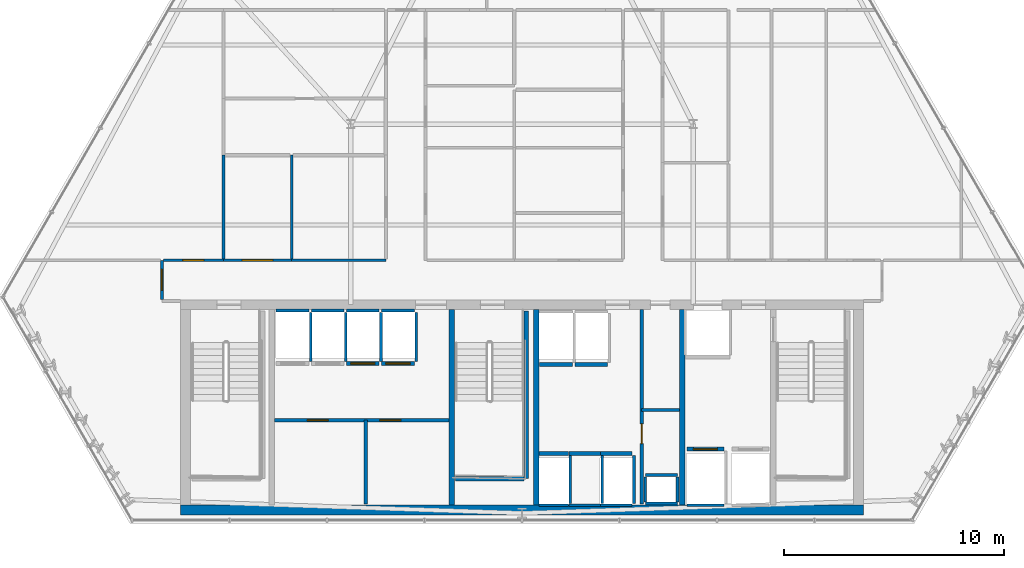
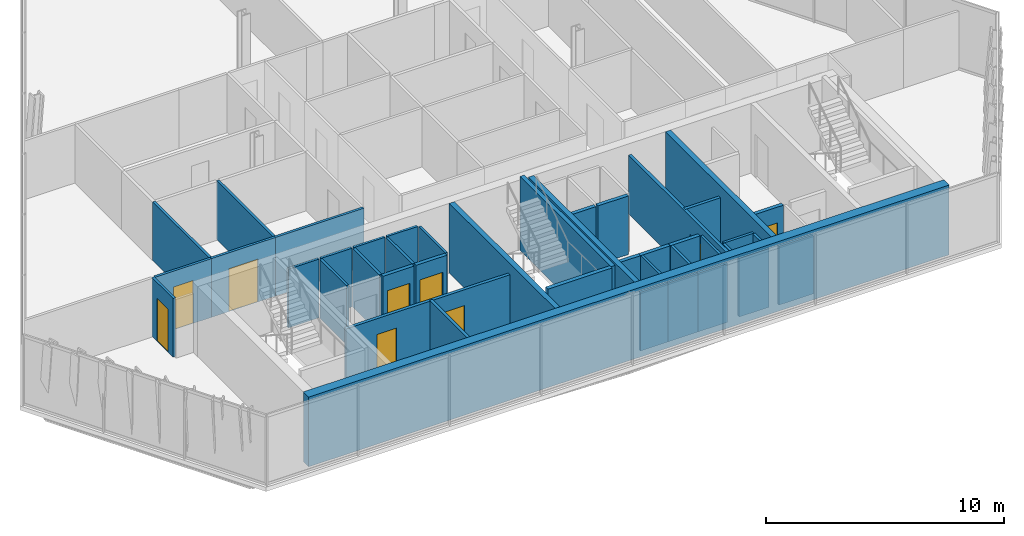
# One storey, part 25 of 31: 43 walls, 9 doors, 9 openings.
"""IFC4 building model written with IfcOpenShell, lengths in metres."""

from ifc_helpers import new_model, si_unit, direction, frame, frame_2d, origin, place, context, subcontext, project, spatial, rectangle, extrude, material, layer, layer_set, type_object, element, fill, save


model = new_model("IFC4")

# Units and contexts
model_context = context("Model", 3, precision=1e-05, world=origin(), true_north=direction((0.0, 1.0)))
body_context = subcontext(model_context, "Body", "Model", "MODEL_VIEW")
ifc_project = project(units=[si_unit("LENGTHUNIT", "METRE"), si_unit("AREAUNIT", "SQUARE_METRE"), si_unit("VOLUMEUNIT", "CUBIC_METRE"), si_unit("PLANEANGLEUNIT", "RADIAN"), si_unit("MASSUNIT", "GRAM", prefix="KILO")], contexts=[model_context])

# Site, building, storey
site_placement = place(None, origin())
site = spatial("IfcSite", under=ifc_project, at=site_placement, CompositionType="ELEMENT")
building_placement = place(site_placement, origin())
building = spatial("IfcBuilding", under=site, at=building_placement, Name="Ndaravel Arena Tower", CompositionType="ELEMENT")
storey_placement = place(building_placement, frame((0.0, 0.0, 146.0)))
storey = spatial("IfcBuildingStorey", under=building, at=storey_placement, Name="L34", CompositionType="ELEMENT", Elevation=146.0)

# Wall, opening, door
ifc_material_1 = material(Name="Gypsum", Category="gypsum")
ifc_layer_1 = layer(ifc_material_1, 0.14990234375)
ifc_layer_set_1 = layer_set([ifc_layer_1], Name="Gypsum")
wall_type_1 = type_object("IfcWallType", Name="WALL-COMP-150", PredefinedType="PARTITIONING", material=ifc_layer_set_1)
wall_1_placement = place(storey_placement, frame((47.449951171875, 5.89990234375, 0.0), z_axis=(0.0, 0.0, 1.0), x_axis=(0.0, 1.0, 0.0)))
wall_1 = element("IfcWall", 1, at=wall_1_placement, inside=storey, type_object=wall_type_1, Name="L34 Core Riser Bay Partition", PredefinedType="PARTITIONING", context=body_context, shape_type="SweptSolid", body=[
    extrude(rectangle(XDim=8.85009765625, YDim=0.14990234375, at=frame_2d((4.425048828125, 0.0))), origin(), (0.0, 0.0, 1.0), 3.010498046875),
])
opening_1_placement = place(wall_1_placement, frame((2.75, 0.0, 0.0)))
opening_1 = element("IfcOpeningElement", 2, at=opening_1_placement, cuts=wall_1, Name="Opening RD-01", PredefinedType="OPENING", context=body_context, shape_type="SweptSolid", body=[
    extrude(rectangle(XDim=0.89990234375, YDim=2.10009765625, at=frame_2d((0.449951171875, 1.050048828125))), frame((0.0, 0.074951171875, 0.0), z_axis=(0.0, -1.0, 0.0), x_axis=(1.0, 0.0, 0.0)), (0.0, 0.0, 1.0), 0.14990234375),
])
ifc_material_2 = material(Name="Steel S355", Category="steel")
door_type_1 = type_object("IfcDoorType", Name="DT-08-RISER-900", OperationType="SINGLE_SWING_LEFT", PredefinedType="DOOR", material=ifc_material_2)
door_1_placement = place(opening_1_placement, origin())
door_1 = element("IfcDoor", 3, at=door_1_placement, inside=storey, type_object=door_type_1, Name="L34 Electrical Riser Door", OperationType="SINGLE_SWING_RIGHT", OverallHeight=2.10009765625, OverallWidth=0.89990234375, PredefinedType="DOOR", context=body_context, shape_type="SweptSolid", body=[
    extrude(rectangle(XDim=0.89990234375, YDim=2.10009765625, at=frame_2d((0.449951171875, 1.050048828125))), frame((0.0, 0.02490234375, 0.0), z_axis=(0.0, -1.0, 0.0), x_axis=(1.0, 0.0, 0.0)), (0.0, 0.0, 1.0), 0.050048828125),
])
fill(opening_1, door_1)

# Wall
wall_2_placement = place(storey_placement, frame((47.449951171875, 10.179931640625, 0.0), z_axis=(0.0, 0.0, 1.0), x_axis=(1.0, 0.0, 0.0)))
element("IfcWall", 4, at=wall_2_placement, inside=storey, type_object=wall_type_1, Name="L34 Core Riser Divider 1", PredefinedType="PARTITIONING", context=body_context, shape_type="SweptSolid", body=[
    extrude(rectangle(XDim=1.72998046875, YDim=0.14990234375, at=frame_2d((0.864990234375, 0.0))), origin(), (0.0, 0.0, 1.0), 3.010498046875),
])

# Wall, openings, doors
wall_3_placement = place(storey_placement, frame((30.719970703125, 9.719970703125, 0.0), z_axis=(0.0, 0.0, 1.0), x_axis=(1.0, 0.0, 0.0)))
wall_3 = element("IfcWall", 5, at=wall_3_placement, inside=storey, type_object=wall_type_1, Name="L34 Reclaimed Shaft Partition", PredefinedType="PARTITIONING", context=body_context, shape_type="SweptSolid", body=[
    extrude(rectangle(XDim=7.9599609375, YDim=0.14990234375, at=frame_2d((3.97998046875, 0.0))), origin(), (0.0, 0.0, 1.0), 3.010498046875),
])
opening_2_placement = place(wall_3_placement, frame((1.5, 0.0, 0.0)))
opening_2 = element("IfcOpeningElement", 6, at=opening_2_placement, cuts=wall_3, Name="Opening FD-03", PredefinedType="OPENING", context=body_context, shape_type="SweptSolid", body=[
    extrude(rectangle(XDim=0.949951171875, YDim=2.199951171875, at=frame_2d((0.47509765625, 1.10009765625))), frame((0.0, 0.074951171875, 0.0), z_axis=(0.0, -1.0, 0.0), x_axis=(1.0, 0.0, 0.0)), (0.0, 0.0, 1.0), 0.14990234375),
])
opening_3_placement = place(wall_3_placement, frame((4.81005859375, 0.0, 0.0)))
opening_3 = element("IfcOpeningElement", 7, at=opening_3_placement, cuts=wall_3, Name="Opening FD-03", PredefinedType="OPENING", context=body_context, shape_type="SweptSolid", body=[
    extrude(rectangle(XDim=0.949951171875, YDim=2.199951171875, at=frame_2d((0.47509765625, 1.10009765625))), frame((0.0, 0.074951171875, 0.0), z_axis=(0.0, -1.0, 0.0), x_axis=(1.0, 0.0, 0.0)), (0.0, 0.0, 1.0), 0.14990234375),
])
ifc_material_3 = material(Name="Steel S355", Category="steel")
door_type_2 = type_object("IfcDoorType", Name="DT-11-CORE-950", OperationType="SINGLE_SWING_LEFT", PredefinedType="DOOR", material=ifc_material_3)
door_2_placement = place(opening_2_placement, origin())
door_2 = element("IfcDoor", 8, at=door_2_placement, inside=storey, type_object=door_type_2, Name="L34 ICT Server Room Door", OperationType="SINGLE_SWING_LEFT", OverallHeight=2.199951171875, OverallWidth=0.949951171875, PredefinedType="DOOR", context=body_context, shape_type="SweptSolid", body=[
    extrude(rectangle(XDim=0.949951171875, YDim=2.199951171875, at=frame_2d((0.47509765625, 1.10009765625))), frame((0.0, 0.02490234375, 0.0), z_axis=(0.0, -1.0, 0.0), x_axis=(1.0, 0.0, 0.0)), (0.0, 0.0, 1.0), 0.050048828125),
])
fill(opening_2, door_2)
door_3_placement = place(opening_3_placement, origin())
door_3 = element("IfcDoor", 9, at=door_3_placement, inside=storey, type_object=door_type_2, Name="L34 Core Archive Room Door", OperationType="SINGLE_SWING_RIGHT", OverallHeight=2.199951171875, OverallWidth=0.949951171875, PredefinedType="DOOR", context=body_context, shape_type="SweptSolid", body=[
    extrude(rectangle(XDim=0.949951171875, YDim=2.199951171875, at=frame_2d((0.47509765625, 1.10009765625))), frame((0.0, 0.02490234375, 0.0), z_axis=(0.0, -1.0, 0.0), x_axis=(1.0, 0.0, 0.0)), (0.0, 0.0, 1.0), 0.050048828125),
])
fill(opening_3, door_3)

# Walls
wall_4_placement = place(storey_placement, frame((34.8798828125, 5.89990234375, 0.0), z_axis=(0.0, 0.0, 1.0), x_axis=(0.0, 1.0, 0.0)))
element("IfcWall", 10, at=wall_4_placement, inside=storey, type_object=wall_type_1, Name="L34 Reclaimed Bay Divider", PredefinedType="PARTITIONING", context=body_context, shape_type="SweptSolid", body=[
    extrude(rectangle(XDim=3.820068359375, YDim=0.14990234375, at=frame_2d((1.91015625, 0.0))), origin(), (0.0, 0.0, 1.0), 3.010498046875),
])
ifc_material_4 = material(Name="Concrete C60/75", Category="concrete")
ifc_layer_2 = layer(ifc_material_4, 0.25)
ifc_layer_set_2 = layer_set([ifc_layer_2], Name="Concrete C60/75")
wall_type_2 = type_object("IfcWallType", Name="WALL-CORE-250", PredefinedType="SOLIDWALL", material=ifc_layer_set_2)
for number, where, z_axis, x_axis, name in (
    (11, (38.800048828125, 5.85009765625, 0.0), (0.0, 0.0, 1.0), (0.0, 1.0, 0.0), "L34 Core Web Shear Wall 2"),
    (12, (42.64990234375, 5.85009765625, 0.0), (0.0, 0.0, 1.0), (0.0, 1.0, 0.0), "L34 Core Web Shear Wall 3"),
    (13, (49.300048828125, 5.85009765625, 0.0), (0.0, 0.0, 1.0), (0.0, 1.0, 0.0), "L34 Core Web Shear Wall 4"),
):
    element("IfcWall", number, at=place(storey_placement, frame(where, z_axis=z_axis, x_axis=x_axis)), inside=storey, type_object=wall_type_2, Name=name, PredefinedType="SOLIDWALL", context=body_context, shape_type="SweptSolid", body=[
        extrude(rectangle(XDim=8.89990234375, YDim=0.25, at=frame_2d((4.449951171875, 0.0))), origin(), (0.0, 0.0, 1.0), 3.580078125),
    ])
ifc_material_5 = material(Name="Concrete C60/75", Category="concrete")
ifc_layer_3 = layer(ifc_material_5, 0.449951171875)
ifc_layer_set_3 = layer_set([ifc_layer_3], Name="Concrete C60/75")
wall_type_3 = type_object("IfcWallType", Name="WALL-CORE-450", PredefinedType="SOLIDWALL", material=ifc_layer_set_3)
wall_5_placement = place(storey_placement, frame((26.449951171875, 5.625, 0.0), z_axis=(0.0, 0.0, 1.0), x_axis=(1.0, 0.0, 0.0)))
element("IfcWall", 14, at=wall_5_placement, inside=storey, type_object=wall_type_3, Name="L34 Core South Shear Wall", PredefinedType="SOLIDWALL", context=body_context, shape_type="SweptSolid", body=[
    extrude(rectangle(XDim=31.10009765625, YDim=0.449951171875, at=frame_2d((15.550048828125, 0.0))), origin(), (0.0, 0.0, 1.0), 3.580078125),
])

# Wall, opening, door
ifc_material_6 = material(Name="Gypsum", Category="gypsum")
ifc_layer_4 = layer(ifc_material_6, 0.125)
ifc_layer_set_4 = layer_set([ifc_layer_4], Name="Gypsum")
wall_type_4 = type_object("IfcWallType", Name="WALL-PART-125", PredefinedType="PARTITIONING", material=ifc_layer_set_4)
wall_6_placement = place(storey_placement, frame((25.60009765625, 15.215087890625, 0.0), z_axis=(0.0, 0.0, 1.0), x_axis=(0.0, 1.0, 0.0)))
wall_6 = element("IfcWall", 15, at=wall_6_placement, inside=storey, type_object=wall_type_4, Name="L34 Interior Partition 004", PredefinedType="PARTITIONING", context=body_context, shape_type="SweptSolid", body=[
    extrude(rectangle(XDim=1.784912109375, YDim=0.125, at=frame_2d((0.892578125, 0.0))), origin(), (0.0, 0.0, 1.0), 3.010498046875),
])
opening_4_placement = place(wall_6_placement, frame((0.41748046875, 0.0, 0.0)))
opening_4 = element("IfcOpeningElement", 16, at=opening_4_placement, cuts=wall_6, Name="Opening ID-01", PredefinedType="OPENING", context=body_context, shape_type="SweptSolid", body=[
    extrude(rectangle(XDim=0.949951171875, YDim=2.199951171875, at=frame_2d((0.47509765625, 1.10009765625))), frame((0.0, 0.0625, 0.0), z_axis=(0.0, -1.0, 0.0), x_axis=(1.0, 0.0, 0.0)), (0.0, 0.0, 1.0), 0.125),
])
ifc_material_7 = material(Name="Timber", Category="wood")
door_type_3 = type_object("IfcDoorType", Name="DT-03-OFFICE-950", OperationType="SINGLE_SWING_LEFT", PredefinedType="DOOR", material=ifc_material_7)
door_4_placement = place(opening_4_placement, origin())
door_4 = element("IfcDoor", 17, at=door_4_placement, inside=storey, type_object=door_type_3, Name="L34 Executive Boardroom Door", OperationType="SINGLE_SWING_LEFT", OverallHeight=2.199951171875, OverallWidth=0.949951171875, PredefinedType="DOOR", context=body_context, shape_type="SweptSolid", body=[
    extrude(rectangle(XDim=0.949951171875, YDim=2.199951171875, at=frame_2d((0.47509765625, 1.10009765625))), frame((0.0, 0.02490234375, 0.0), z_axis=(0.0, -1.0, 0.0), x_axis=(1.0, 0.0, 0.0)), (0.0, 0.0, 1.0), 0.050048828125),
])
fill(opening_4, door_4)

wall_7_placement = place(storey_placement, frame((25.6650390625, 17.0, 0.0), z_axis=(0.0, 0.0, 1.0), x_axis=(1.0, 0.0, 0.0)))
wall_7 = element("IfcWall", 18, at=wall_7_placement, inside=storey, type_object=wall_type_4, Name="L34 Interior Partition 005", PredefinedType="PARTITIONING", context=body_context, shape_type="SweptSolid", body=[
    extrude(rectangle(XDim=2.73486328125, YDim=0.125, at=frame_2d((1.367431640625, 0.0))), origin(), (0.0, 0.0, 1.0), 3.010498046875),
])
opening_5_placement = place(wall_7_placement, frame((0.892578125, 0.0, 0.0)))
opening_5 = element("IfcOpeningElement", 19, at=opening_5_placement, cuts=wall_7, Name="Opening ID-01", PredefinedType="OPENING", context=body_context, shape_type="SweptSolid", body=[
    extrude(rectangle(XDim=0.949951171875, YDim=2.199951171875, at=frame_2d((0.47509765625, 1.10009765625))), frame((0.0, 0.0625, 0.0), z_axis=(0.0, -1.0, 0.0), x_axis=(1.0, 0.0, 0.0)), (0.0, 0.0, 1.0), 0.125),
])
door_5_placement = place(opening_5_placement, origin())
door_5 = element("IfcDoor", 20, at=door_5_placement, inside=storey, type_object=door_type_3, Name="L34 Training Classroom 4 Door", OperationType="SINGLE_SWING_LEFT", OverallHeight=2.199951171875, OverallWidth=0.949951171875, PredefinedType="DOOR", context=body_context, shape_type="SweptSolid", body=[
    extrude(rectangle(XDim=0.949951171875, YDim=2.199951171875, at=frame_2d((0.47509765625, 1.10009765625))), frame((0.0, 0.02490234375, 0.0), z_axis=(0.0, -1.0, 0.0), x_axis=(1.0, 0.0, 0.0)), (0.0, 0.0, 1.0), 0.050048828125),
])
fill(opening_5, door_5)

wall_8_placement = place(storey_placement, frame((28.39990234375, 17.0, 0.0), z_axis=(0.0, 0.0, 1.0), x_axis=(1.0, 0.0, 0.0)))
wall_8 = element("IfcWall", 21, at=wall_8_placement, inside=storey, type_object=wall_type_4, Name="L34 Interior Partition 006", PredefinedType="PARTITIONING", context=body_context, shape_type="SweptSolid", body=[
    extrude(rectangle(XDim=3.108154296875, YDim=0.125, at=frame_2d((1.55419921875, 0.0))), origin(), (0.0, 0.0, 1.0), 3.010498046875),
])
opening_6_placement = place(wall_8_placement, frame((0.85400390625, 0.0, 0.0)))
opening_6 = element("IfcOpeningElement", 22, at=opening_6_placement, cuts=wall_8, Name="Opening ID-02", PredefinedType="OPENING", context=body_context, shape_type="SweptSolid", body=[
    extrude(rectangle(XDim=1.39990234375, YDim=2.199951171875, at=frame_2d((0.699951171875, 1.10009765625))), frame((0.0, 0.0625, 0.0), z_axis=(0.0, -1.0, 0.0), x_axis=(1.0, 0.0, 0.0)), (0.0, 0.0, 1.0), 0.125),
])
ifc_material_8 = material(Name="Timber", Category="wood")
door_type_4 = type_object("IfcDoorType", Name="DT-04-SUITE-1400", OperationType="DOUBLE_DOOR_SINGLE_SWING", PredefinedType="DOOR", material=ifc_material_8)
door_6_placement = place(opening_6_placement, origin())
door_6 = element("IfcDoor", 23, at=door_6_placement, inside=storey, type_object=door_type_4, Name="L34 Client Conference Room 2 Door", OperationType="SINGLE_SWING_LEFT", OverallHeight=2.199951171875, OverallWidth=1.39990234375, PredefinedType="DOOR", context=body_context, shape_type="SweptSolid", body=[
    extrude(rectangle(XDim=1.39990234375, YDim=2.199951171875, at=frame_2d((0.699951171875, 1.10009765625))), frame((0.0, 0.02490234375, 0.0), z_axis=(0.0, -1.0, 0.0), x_axis=(1.0, 0.0, 0.0)), (0.0, 0.0, 1.0), 0.050048828125),
])
fill(opening_6, door_6)

# Walls
wall_9_placement = place(storey_placement, frame((31.508056640625, 17.0, 0.0), z_axis=(0.0, 0.0, 1.0), x_axis=(1.0, 0.0, 0.0)))
element("IfcWall", 24, at=wall_9_placement, inside=storey, type_object=wall_type_4, Name="L34 Interior Partition 007", PredefinedType="PARTITIONING", context=body_context, shape_type="SweptSolid", body=[
    extrude(rectangle(XDim=4.2919921875, YDim=0.125, at=frame_2d((2.14599609375, 0.0))), origin(), (0.0, 0.0, 1.0), 3.010498046875),
])
for number, where, z_axis, x_axis, name in (
    (25, (31.508056640625, 21.7880859375, 0.0), (0.0, 0.0, 1.0), (0.0, -1.0, 0.0), "L34 Interior Partition 036"),
    (26, (28.39990234375, 17.06494140625, 0.0), (0.0, 0.0, 1.0), (0.0, 1.0, 0.0), "L34 Interior Partition 037"),
):
    element("IfcWall", number, at=place(storey_placement, frame(where, z_axis=z_axis, x_axis=x_axis)), inside=storey, type_object=wall_type_4, Name=name, PredefinedType="PARTITIONING", context=body_context, shape_type="SweptSolid", body=[
        extrude(rectangle(XDim=4.72314453125, YDim=0.125, at=frame_2d((2.361572265625, 0.0))), origin(), (0.0, 0.0, 1.0), 3.010498046875),
    ])
ifc_material_9 = material(Name="Concrete C40/50", Category="concrete")
ifc_layer_5 = layer(ifc_material_9, 0.1201171875)
ifc_layer_set_5 = layer_set([ifc_layer_5], Name="Concrete C40/50")
wall_type_5 = type_object("IfcWallType", Name="WALL-SHAFT-120", PredefinedType="SOLIDWALL", material=ifc_layer_set_5)
for number, where, z_axis, x_axis, name in (
    (27, (47.6201171875, 5.919921875, 0.0), (0.0, 0.0, 1.0), (1.0, 0.0, 0.0), "L34 MEP Riser Shaft S Wall"),
    (28, (47.6201171875, 7.219970703125, 0.0), (0.0, 0.0, 1.0), (1.0, 0.0, 0.0), "L34 MEP Riser Shaft N Wall"),
):
    element("IfcWall", number, at=place(storey_placement, frame(where, z_axis=z_axis, x_axis=x_axis)), inside=storey, type_object=wall_type_5, Name=name, PredefinedType="SOLIDWALL", context=body_context, shape_type="SweptSolid", body=[
        extrude(rectangle(XDim=1.4599609375, YDim=0.1201171875, at=frame_2d((0.72998046875, 0.0))), origin(), (0.0, 0.0, 1.0), 3.010498046875),
    ])
for number, where, z_axis, x_axis, name in (
    (29, (47.6201171875, 6.0, 0.0), (0.0, 0.0, 1.0), (0.0, 1.0, 0.0), "L34 MEP Riser Shaft W Wall"),
    (30, (49.080078125, 6.0, 0.0), (0.0, 0.0, 1.0), (0.0, 1.0, 0.0), "L34 MEP Riser Shaft E Wall"),
):
    element("IfcWall", number, at=place(storey_placement, frame(where, z_axis=z_axis, x_axis=x_axis)), inside=storey, type_object=wall_type_5, Name=name, PredefinedType="SOLIDWALL", context=body_context, shape_type="SweptSolid", body=[
        extrude(rectangle(XDim=1.139892578125, YDim=0.1201171875, at=frame_2d((0.56982421875, 0.0))), origin(), (0.0, 0.0, 1.0), 3.010498046875),
    ])
wall_10_placement = place(storey_placement, frame((30.804931640625, 14.7099609375, 0.0), z_axis=(0.0, 0.0, 1.0), x_axis=(1.0, 0.0, 0.0)))
element("IfcWall", 31, at=wall_10_placement, inside=storey, type_object=wall_type_5, Name="L34 PL-M1 Shaft Rear Wall", PredefinedType="SOLIDWALL", context=body_context, shape_type="SweptSolid", body=[
    extrude(rectangle(XDim=1.489990234375, YDim=0.1201171875, at=frame_2d((0.7451171875, 0.0))), origin(), (0.0, 0.0, 1.0), 3.010498046875),
])
wall_11_placement = place(storey_placement, frame((32.375, 12.389892578125, 0.0), z_axis=(0.0, 0.0, 1.0), x_axis=(0.0, 1.0, 0.0)))
element("IfcWall", 32, at=wall_11_placement, inside=storey, type_object=wall_type_5, Name="L34 PL-M1 Shaft Side R Wall", PredefinedType="SOLIDWALL", context=body_context, shape_type="SweptSolid", body=[
    extrude(rectangle(XDim=2.230224609375, YDim=0.1201171875, at=frame_2d((1.115234375, 0.0))), origin(), (0.0, 0.0, 1.0), 3.010498046875),
])
wall_12_placement = place(storey_placement, frame((32.405029296875, 14.7099609375, 0.0), z_axis=(0.0, 0.0, 1.0), x_axis=(1.0, 0.0, 0.0)))
element("IfcWall", 33, at=wall_12_placement, inside=storey, type_object=wall_type_5, Name="L34 PL-M2 Shaft Rear Wall", PredefinedType="SOLIDWALL", context=body_context, shape_type="SweptSolid", body=[
    extrude(rectangle(XDim=1.489990234375, YDim=0.1201171875, at=frame_2d((0.7451171875, 0.0))), origin(), (0.0, 0.0, 1.0), 3.010498046875),
])
wall_13_placement = place(storey_placement, frame((33.97509765625, 12.389892578125, 0.0), z_axis=(0.0, 0.0, 1.0), x_axis=(0.0, 1.0, 0.0)))
element("IfcWall", 34, at=wall_13_placement, inside=storey, type_object=wall_type_5, Name="L34 PL-M2 Shaft Side R Wall", PredefinedType="SOLIDWALL", context=body_context, shape_type="SweptSolid", body=[
    extrude(rectangle(XDim=2.230224609375, YDim=0.1201171875, at=frame_2d((1.115234375, 0.0))), origin(), (0.0, 0.0, 1.0), 3.010498046875),
])
wall_14_placement = place(storey_placement, frame((34.0048828125, 14.7099609375, 0.0), z_axis=(0.0, 0.0, 1.0), x_axis=(1.0, 0.0, 0.0)))
element("IfcWall", 35, at=wall_14_placement, inside=storey, type_object=wall_type_5, Name="L34 PL-M3 Shaft Rear Wall", PredefinedType="SOLIDWALL", context=body_context, shape_type="SweptSolid", body=[
    extrude(rectangle(XDim=1.490234375, YDim=0.1201171875, at=frame_2d((0.7451171875, 0.0))), origin(), (0.0, 0.0, 1.0), 3.010498046875),
])
wall_15_placement = place(storey_placement, frame((35.574951171875, 12.389892578125, 0.0), z_axis=(0.0, 0.0, 1.0), x_axis=(0.0, 1.0, 0.0)))
element("IfcWall", 36, at=wall_15_placement, inside=storey, type_object=wall_type_5, Name="L34 PL-M3 Shaft Side R Wall", PredefinedType="SOLIDWALL", context=body_context, shape_type="SweptSolid", body=[
    extrude(rectangle(XDim=2.230224609375, YDim=0.1201171875, at=frame_2d((1.115234375, 0.0))), origin(), (0.0, 0.0, 1.0), 3.010498046875),
])
wall_16_placement = place(storey_placement, frame((35.60498046875, 14.7099609375, 0.0), z_axis=(0.0, 0.0, 1.0), x_axis=(1.0, 0.0, 0.0)))
element("IfcWall", 37, at=wall_16_placement, inside=storey, type_object=wall_type_5, Name="L34 PL-M4 Shaft Rear Wall", PredefinedType="SOLIDWALL", context=body_context, shape_type="SweptSolid", body=[
    extrude(rectangle(XDim=1.489990234375, YDim=0.1201171875, at=frame_2d((0.7451171875, 0.0))), origin(), (0.0, 0.0, 1.0), 3.010498046875),
])
wall_17_placement = place(storey_placement, frame((37.175048828125, 12.389892578125, 0.0), z_axis=(0.0, 0.0, 1.0), x_axis=(0.0, 1.0, 0.0)))
element("IfcWall", 38, at=wall_17_placement, inside=storey, type_object=wall_type_5, Name="L34 PL-M4 Shaft Side R Wall", PredefinedType="SOLIDWALL", context=body_context, shape_type="SweptSolid", body=[
    extrude(rectangle(XDim=2.230224609375, YDim=0.1201171875, at=frame_2d((1.115234375, 0.0))), origin(), (0.0, 0.0, 1.0), 3.010498046875),
])
wall_18_placement = place(storey_placement, frame((42.780029296875, 5.840087890625, 0.0), z_axis=(0.0, 0.0, 1.0), x_axis=(1.0, 0.0, 0.0)))
element("IfcWall", 39, at=wall_18_placement, inside=storey, type_object=wall_type_5, Name="L34 PL-H1 Shaft Rear Wall", PredefinedType="SOLIDWALL", context=body_context, shape_type="SweptSolid", body=[
    extrude(rectangle(XDim=1.340087890625, YDim=0.1201171875, at=frame_2d((0.669921875, 0.0))), origin(), (0.0, 0.0, 1.0), 3.010498046875),
])
wall_19_placement = place(storey_placement, frame((44.199951171875, 5.929931640625, 0.0), z_axis=(0.0, 0.0, 1.0), x_axis=(0.0, 1.0, 0.0)))
element("IfcWall", 40, at=wall_19_placement, inside=storey, type_object=wall_type_5, Name="L34 PL-H1 Shaft Side R Wall", PredefinedType="SOLIDWALL", context=body_context, shape_type="SweptSolid", body=[
    extrude(rectangle(XDim=2.18017578125, YDim=0.1201171875, at=frame_2d((1.090087890625, 0.0))), origin(), (0.0, 0.0, 1.0), 3.010498046875),
])
wall_20_placement = place(storey_placement, frame((44.1298828125, 5.840087890625, 0.0), z_axis=(0.0, 0.0, 1.0), x_axis=(1.0, 0.0, 0.0)))
element("IfcWall", 41, at=wall_20_placement, inside=storey, type_object=wall_type_5, Name="L34 PL-H2 Shaft Rear Wall", PredefinedType="SOLIDWALL", context=body_context, shape_type="SweptSolid", body=[
    extrude(rectangle(XDim=1.440185546875, YDim=0.1201171875, at=frame_2d((0.72021484375, 0.0))), origin(), (0.0, 0.0, 1.0), 3.010498046875),
])
wall_21_placement = place(storey_placement, frame((45.64990234375, 5.929931640625, 0.0), z_axis=(0.0, 0.0, 1.0), x_axis=(0.0, 1.0, 0.0)))
element("IfcWall", 42, at=wall_21_placement, inside=storey, type_object=wall_type_5, Name="L34 PL-H2 Shaft Side R Wall", PredefinedType="SOLIDWALL", context=body_context, shape_type="SweptSolid", body=[
    extrude(rectangle(XDim=2.18017578125, YDim=0.1201171875, at=frame_2d((1.090087890625, 0.0))), origin(), (0.0, 0.0, 1.0), 3.010498046875),
])
wall_22_placement = place(storey_placement, frame((45.580078125, 5.840087890625, 0.0), z_axis=(0.0, 0.0, 1.0), x_axis=(1.0, 0.0, 0.0)))
element("IfcWall", 43, at=wall_22_placement, inside=storey, type_object=wall_type_5, Name="L34 PL-H3 Shaft Rear Wall", PredefinedType="SOLIDWALL", context=body_context, shape_type="SweptSolid", body=[
    extrude(rectangle(XDim=1.43994140625, YDim=0.1201171875, at=frame_2d((0.719970703125, 0.0))), origin(), (0.0, 0.0, 1.0), 3.010498046875),
])
wall_23_placement = place(storey_placement, frame((47.10009765625, 5.929931640625, 0.0), z_axis=(0.0, 0.0, 1.0), x_axis=(0.0, 1.0, 0.0)))
element("IfcWall", 44, at=wall_23_placement, inside=storey, type_object=wall_type_5, Name="L34 PL-H3 Shaft Side R Wall", PredefinedType="SOLIDWALL", context=body_context, shape_type="SweptSolid", body=[
    extrude(rectangle(XDim=2.18017578125, YDim=0.1201171875, at=frame_2d((1.090087890625, 0.0))), origin(), (0.0, 0.0, 1.0), 3.010498046875),
])
wall_24_placement = place(storey_placement, frame((49.5048828125, 5.840087890625, 0.0), z_axis=(0.0, 0.0, 1.0), x_axis=(1.0, 0.0, 0.0)))
element("IfcWall", 45, at=wall_24_placement, inside=storey, type_object=wall_type_5, Name="L34 FFL-1 Shaft Rear Wall", PredefinedType="SOLIDWALL", context=body_context, shape_type="SweptSolid", body=[
    extrude(rectangle(XDim=1.690185546875, YDim=0.1201171875, at=frame_2d((0.84521484375, 0.0))), origin(), (0.0, 0.0, 1.0), 3.010498046875),
])
ifc_material_10 = material(Name="Concrete C40/50", Category="concrete")
ifc_layer_6 = layer(ifc_material_10, 0.199951171875)
ifc_layer_set_6 = layer_set([ifc_layer_6], Name="Concrete C40/50")
wall_type_6 = type_object("IfcWallType", Name="WALL-SHAFT-200", PredefinedType="SOLIDWALL", material=ifc_layer_set_6)
wall_25_placement = place(storey_placement, frame((42.18994140625, 14.699951171875, 0.0), z_axis=(0.0, 0.0, 1.0), x_axis=(0.0, -1.0, 0.0)))
element("IfcWall", 46, at=wall_25_placement, inside=storey, type_object=wall_type_6, Name="L34 ST-2 Structural Shaft Wall Right", PredefinedType="SOLIDWALL", context=body_context, shape_type="SweptSolid", body=[
    extrude(rectangle(XDim=7.64990234375, YDim=0.199951171875, at=frame_2d((3.824951171875, 0.0))), origin(), (0.0, 0.0, 1.0), 3.800048828125),
])
wall_26_placement = place(storey_placement, frame((38.969970703125, 7.050048828125, 0.0), z_axis=(0.0, 0.0, 1.0), x_axis=(1.0, 0.0, 0.0)))
element("IfcWall", 47, at=wall_26_placement, inside=storey, type_object=wall_type_6, Name="L34 ST-2 Structural Shaft Wall Far", PredefinedType="SOLIDWALL", context=body_context, shape_type="SweptSolid", body=[
    extrude(rectangle(XDim=3.114990234375, YDim=0.199951171875, at=frame_2d((1.5576171875, 0.0))), origin(), (0.0, 0.0, 1.0), 3.800048828125),
])

# Wall, opening, door
wall_27_placement = place(storey_placement, frame((34.0048828125, 12.300048828125, 0.0), z_axis=(0.0, 0.0, 1.0), x_axis=(1.0, 0.0, 0.0)))
wall_27 = element("IfcWall", 48, at=wall_27_placement, inside=storey, type_object=wall_type_6, Name="L34 PL-M3 Shaft Landing Wall", PredefinedType="SOLIDWALL", context=body_context, shape_type="SweptSolid", body=[
    extrude(rectangle(XDim=1.490234375, YDim=0.179931640625, at=frame_2d((0.7451171875, 0.0))), origin(), (0.0, 0.0, 1.0), 3.010498046875),
])
opening_7_placement = place(wall_27_placement, frame((0.195068359375, 0.0, 0.0)))
opening_7 = element("IfcOpeningElement", 49, at=opening_7_placement, cuts=wall_27, Name="Opening LD-01", PredefinedType="OPENING", context=body_context, shape_type="SweptSolid", body=[
    extrude(rectangle(XDim=1.10009765625, YDim=2.199951171875, at=frame_2d((0.550048828125, 1.10009765625))), frame((0.0, 0.08984375, 0.0), z_axis=(0.0, -1.0, 0.0), x_axis=(1.0, 0.0, 0.0)), (0.0, 0.0, 1.0), 0.179931640625),
])
ifc_material_11 = material(Name="Steel S355", Category="steel")
door_type_5 = type_object("IfcDoorType", Name="DT-06-LIFT-1100", OperationType="SLIDING_TO_LEFT", PredefinedType="DOOR", material=ifc_material_11)
door_7_placement = place(opening_7_placement, origin())
door_7 = element("IfcDoor", 50, at=door_7_placement, inside=storey, type_object=door_type_5, Name="L34 Lift PL-M3 Sliding Landing Door", OperationType="SLIDING_TO_LEFT", OverallHeight=2.199951171875, OverallWidth=1.10009765625, PredefinedType="DOOR", context=body_context, shape_type="SweptSolid", body=[
    extrude(rectangle(XDim=1.10009765625, YDim=2.199951171875, at=frame_2d((0.550048828125, 1.10009765625))), frame((0.0, 0.02490234375, 0.0), z_axis=(0.0, -1.0, 0.0), x_axis=(1.0, 0.0, 0.0)), (0.0, 0.0, 1.0), 0.050048828125),
])
fill(opening_7, door_7)

wall_28_placement = place(storey_placement, frame((35.60498046875, 12.300048828125, 0.0), z_axis=(0.0, 0.0, 1.0), x_axis=(1.0, 0.0, 0.0)))
wall_28 = element("IfcWall", 51, at=wall_28_placement, inside=storey, type_object=wall_type_6, Name="L34 PL-M4 Shaft Landing Wall", PredefinedType="SOLIDWALL", context=body_context, shape_type="SweptSolid", body=[
    extrude(rectangle(XDim=1.489990234375, YDim=0.179931640625, at=frame_2d((0.7451171875, 0.0))), origin(), (0.0, 0.0, 1.0), 3.010498046875),
])
opening_8_placement = place(wall_28_placement, frame((0.195068359375, 0.0, 0.0)))
opening_8 = element("IfcOpeningElement", 52, at=opening_8_placement, cuts=wall_28, Name="Opening LD-01", PredefinedType="OPENING", context=body_context, shape_type="SweptSolid", body=[
    extrude(rectangle(XDim=1.10009765625, YDim=2.199951171875, at=frame_2d((0.550048828125, 1.10009765625))), frame((0.0, 0.08984375, 0.0), z_axis=(0.0, -1.0, 0.0), x_axis=(1.0, 0.0, 0.0)), (0.0, 0.0, 1.0), 0.179931640625),
])
door_8_placement = place(opening_8_placement, origin())
door_8 = element("IfcDoor", 53, at=door_8_placement, inside=storey, type_object=door_type_5, Name="L34 Lift PL-M4 Sliding Landing Door", OperationType="SLIDING_TO_LEFT", OverallHeight=2.199951171875, OverallWidth=1.10009765625, PredefinedType="DOOR", context=body_context, shape_type="SweptSolid", body=[
    extrude(rectangle(XDim=1.10009765625, YDim=2.199951171875, at=frame_2d((0.550048828125, 1.10009765625))), frame((0.0, 0.02490234375, 0.0), z_axis=(0.0, -1.0, 0.0), x_axis=(1.0, 0.0, 0.0)), (0.0, 0.0, 1.0), 0.050048828125),
])
fill(opening_8, door_8)

# Walls
wall_29_placement = place(storey_placement, frame((42.780029296875, 8.199951171875, 0.0), z_axis=(0.0, 0.0, 1.0), x_axis=(1.0, 0.0, 0.0)))
element("IfcWall", 54, at=wall_29_placement, inside=storey, type_object=wall_type_6, Name="L34 PL-H1 Shaft Landing Wall", PredefinedType="SOLIDWALL", context=body_context, shape_type="SweptSolid", body=[
    extrude(rectangle(XDim=1.340087890625, YDim=0.179931640625, at=frame_2d((0.669921875, 0.0))), origin(), (0.0, 0.0, 1.0), 3.010498046875),
])
wall_30_placement = place(storey_placement, frame((44.1298828125, 8.199951171875, 0.0), z_axis=(0.0, 0.0, 1.0), x_axis=(1.0, 0.0, 0.0)))
element("IfcWall", 55, at=wall_30_placement, inside=storey, type_object=wall_type_6, Name="L34 PL-H2 Shaft Landing Wall", PredefinedType="SOLIDWALL", context=body_context, shape_type="SweptSolid", body=[
    extrude(rectangle(XDim=1.440185546875, YDim=0.179931640625, at=frame_2d((0.72021484375, 0.0))), origin(), (0.0, 0.0, 1.0), 3.010498046875),
])
wall_31_placement = place(storey_placement, frame((45.580078125, 8.199951171875, 0.0), z_axis=(0.0, 0.0, 1.0), x_axis=(1.0, 0.0, 0.0)))
element("IfcWall", 56, at=wall_31_placement, inside=storey, type_object=wall_type_6, Name="L34 PL-H3 Shaft Landing Wall", PredefinedType="SOLIDWALL", context=body_context, shape_type="SweptSolid", body=[
    extrude(rectangle(XDim=1.43994140625, YDim=0.179931640625, at=frame_2d((0.719970703125, 0.0))), origin(), (0.0, 0.0, 1.0), 3.010498046875),
])
for number, where, z_axis, x_axis, name in (
    (57, (42.804931640625, 12.25, 0.0), (0.0, 0.0, 1.0), (1.0, 0.0, 0.0), "L34 PL-OBS1 Shaft Landing Wall"),
    (58, (44.405029296875, 12.25, 0.0), (0.0, 0.0, 1.0), (1.0, 0.0, 0.0), "L34 PL-OBS2 Shaft Landing Wall"),
):
    element("IfcWall", number, at=place(storey_placement, frame(where, z_axis=z_axis, x_axis=x_axis)), inside=storey, type_object=wall_type_6, Name=name, PredefinedType="SOLIDWALL", context=body_context, shape_type="SweptSolid", body=[
        extrude(rectangle(XDim=1.489990234375, YDim=0.179931640625, at=frame_2d((0.7451171875, 0.0))), origin(), (0.0, 0.0, 1.0), 3.010498046875),
    ])

# Wall, opening, door
wall_32_placement = place(storey_placement, frame((49.5048828125, 8.39990234375, 0.0), z_axis=(0.0, 0.0, 1.0), x_axis=(1.0, 0.0, 0.0)))
wall_32 = element("IfcWall", 59, at=wall_32_placement, inside=storey, type_object=wall_type_6, Name="L34 FFL-1 Shaft Landing Wall", PredefinedType="SOLIDWALL", context=body_context, shape_type="SweptSolid", body=[
    extrude(rectangle(XDim=1.690185546875, YDim=0.179931640625, at=frame_2d((0.84521484375, 0.0))), origin(), (0.0, 0.0, 1.0), 3.010498046875),
])
opening_9_placement = place(wall_32_placement, frame((0.294921875, 0.0, 0.0)))
opening_9 = element("IfcOpeningElement", 60, at=opening_9_placement, cuts=wall_32, Name="Opening LD-01", PredefinedType="OPENING", context=body_context, shape_type="SweptSolid", body=[
    extrude(rectangle(XDim=1.10009765625, YDim=2.199951171875, at=frame_2d((0.550048828125, 1.10009765625))), frame((0.0, 0.08984375, 0.0), z_axis=(0.0, -1.0, 0.0), x_axis=(1.0, 0.0, 0.0)), (0.0, 0.0, 1.0), 0.179931640625),
])
door_9_placement = place(opening_9_placement, origin())
door_9 = element("IfcDoor", 61, at=door_9_placement, inside=storey, type_object=door_type_5, Name="L34 Lift FFL-1 Sliding Landing Door", OperationType="SLIDING_TO_LEFT", OverallHeight=2.199951171875, OverallWidth=1.10009765625, PredefinedType="DOOR", context=body_context, shape_type="SweptSolid", body=[
    extrude(rectangle(XDim=1.10009765625, YDim=2.199951171875, at=frame_2d((0.550048828125, 1.10009765625))), frame((0.0, 0.02490234375, 0.0), z_axis=(0.0, -1.0, 0.0), x_axis=(1.0, 0.0, 0.0)), (0.0, 0.0, 1.0), 0.050048828125),
])
fill(opening_9, door_9)

save(model, "model.ifc")
